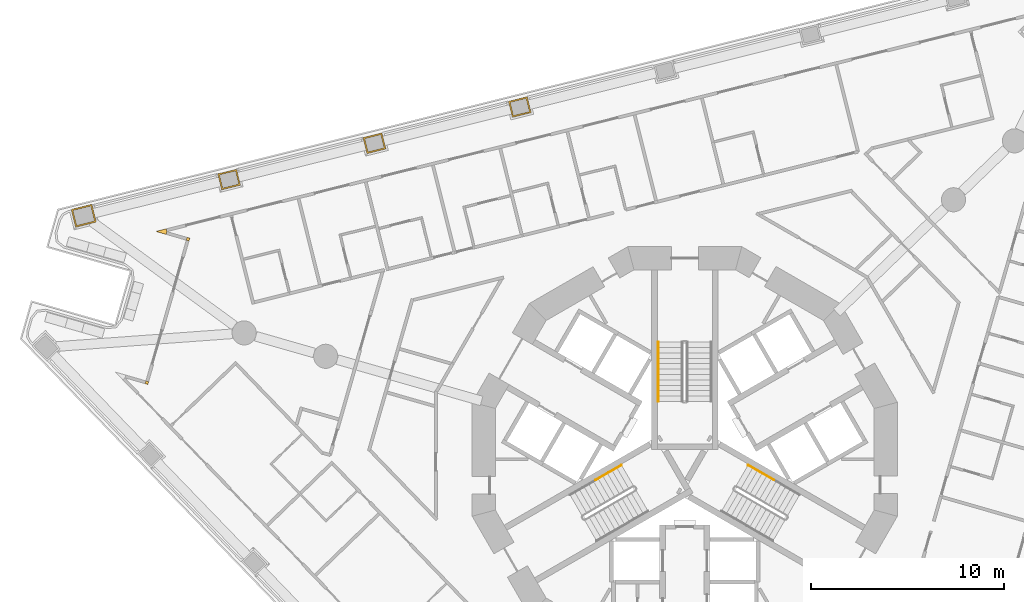
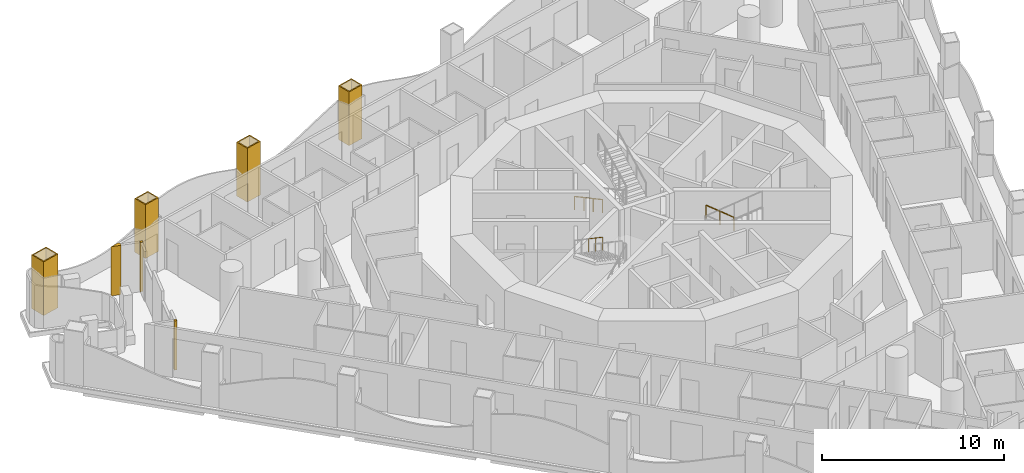
# One storey, part 17 of 20: 7 coverings, 3 railings.
"""IFC4 building model written with IfcOpenShell, lengths in metres."""

from ifc_helpers import new_model, si_unit, direction, frame, origin, origin_2d, place, context, subcontext, project, spatial, polyline, circle, outline, extrude, material, layer, layer_set, type_object, element, save


model = new_model("IFC4")

# Units and contexts
model_context = context("Model", 3, precision=1e-05, world=origin(), true_north=direction((0.0, 1.0)))
body_context = subcontext(model_context, "Body", "Model", "MODEL_VIEW")
ifc_project = project(units=[si_unit("LENGTHUNIT", "METRE"), si_unit("AREAUNIT", "SQUARE_METRE"), si_unit("VOLUMEUNIT", "CUBIC_METRE"), si_unit("PLANEANGLEUNIT", "RADIAN"), si_unit("MASSUNIT", "GRAM", prefix="KILO")], contexts=[model_context])

# Site, building, storey
site_placement = place(None, origin())
site = spatial("IfcSite", under=ifc_project, at=site_placement, CompositionType="ELEMENT")
building_placement = place(site_placement, origin())
building = spatial("IfcBuilding", under=site, at=building_placement, Name="Trine Commons Tower", CompositionType="ELEMENT")
storey_placement = place(building_placement, frame((0.0, 0.0, 108.89990234375)))
storey = spatial("IfcBuildingStorey", under=building, at=storey_placement, Name="L27", CompositionType="ELEMENT", Elevation=108.89990234375)

# Coverings
ifc_material_1 = material(Name="Aluminium-framed insulated wall panel", Category="aluminium")
ifc_layer_1 = layer(ifc_material_1, 0.14990234375)
ifc_layer_set_1 = layer_set([ifc_layer_1], Name="Aluminium-framed insulated wall panel")
covering_type_1 = type_object("IfcCoveringType", Name="Glazing corner post, aluminium", PredefinedType="CLADDING", material=ifc_layer_set_1)
covering_1_placement = place(storey_placement, origin())
element("IfcCovering", 1, at=covering_1_placement, inside=storey, type_object=covering_type_1, Name="Glazing corner post 3-02", PredefinedType="CLADDING", context=body_context, shape_type="SweptSolid", body=[
    extrude(outline(polyline([(52.048828125, 66.416015625), (52.193115234375, 66.374755859375), (52.234375, 66.518798828125), (52.090087890625, 66.560302734375), (52.048828125, 66.416015625)])), origin(), (0.0, 0.0, 1.0), 3.300048828125),
])
covering_2_placement = place(storey_placement, origin())
element("IfcCovering", 2, at=covering_2_placement, inside=storey, type_object=covering_type_1, Name="Glazing corner post 3-03", PredefinedType="CLADDING", context=body_context, shape_type="SweptSolid", body=[
    extrude(outline(polyline([(54.32373046875, 73.805419921875), (54.364990234375, 73.949462890625), (54.220703125, 73.99072265625), (54.179443359375, 73.8466796875), (54.32373046875, 73.805419921875)])), origin(), (0.0, 0.0, 1.0), 3.300048828125),
])
covering_3_placement = place(storey_placement, origin())
element("IfcCovering", 3, at=covering_3_placement, inside=storey, type_object=covering_type_1, Name="Glazing corner post 3-04", PredefinedType="CLADDING", context=body_context, shape_type="SweptSolid", body=[
    extrude(outline(polyline([(53.1357421875, 74.14599609375), (53.17724609375, 74.2900390625), (53.140869140625, 74.435546875), (52.59765625, 74.30029296875), (53.1357421875, 74.14599609375)])), origin(), (0.0, 0.0, 1.0), 3.300048828125),
])
ifc_material_2 = material(Name="Limestone, honed", Category="masonry")
ifc_layer_2 = layer(ifc_material_2, 0.074951171875)
ifc_layer_set_2 = layer_set([ifc_layer_2], Name="Limestone, honed")
covering_type_2 = type_object("IfcCoveringType", Name="Limestone column cladding 75", PredefinedType="CLADDING", material=ifc_layer_set_2)
covering_4_placement = place(storey_placement, origin())
element("IfcCovering", 4, at=covering_4_placement, inside=storey, type_object=covering_type_2, Name="Limestone pier cladding 3-09", PredefinedType="CLADDING", context=body_context, shape_type="SweptSolid", body=[
    extrude(outline(polyline([(49.520751953125, 74.785400390625), (49.291015625, 75.70703125), (48.2236328125, 75.44091796875), (48.45361328125, 74.519287109375), (49.520751953125, 74.785400390625)]), holes=[polyline([(49.429931640625, 74.83984375), (49.236328125, 75.6162109375), (48.314453125, 75.38623046875), (48.508056640625, 74.610107421875), (49.429931640625, 74.83984375)])]), origin(), (0.0, 0.0, 1.0), 3.60009765625),
])
covering_5_placement = place(storey_placement, origin())
element("IfcCovering", 5, at=covering_5_placement, inside=storey, type_object=covering_type_2, Name="Limestone pier cladding 3-10", PredefinedType="CLADDING", context=body_context, shape_type="SweptSolid", body=[
    extrude(outline(polyline([(56.9873046875, 76.698486328125), (56.78173828125, 77.523193359375), (55.811279296875, 77.28125), (56.01708984375, 76.45654296875), (56.9873046875, 76.698486328125)]), holes=[polyline([(56.896484375, 76.7529296875), (56.72705078125, 77.43212890625), (55.90234375, 77.2265625), (56.07177734375, 76.54736328125), (56.896484375, 76.7529296875)])]), origin(), (0.0, 0.0, 1.0), 3.60009765625),
])
covering_6_placement = place(storey_placement, origin())
element("IfcCovering", 6, at=covering_6_placement, inside=storey, type_object=covering_type_2, Name="Limestone pier cladding 3-11", PredefinedType="CLADDING", context=body_context, shape_type="SweptSolid", body=[
    extrude(outline(polyline([(64.5146484375, 78.5751953125), (64.308837890625, 79.39990234375), (63.338623046875, 79.157958984375), (63.544189453125, 78.333251953125), (64.5146484375, 78.5751953125)]), holes=[polyline([(64.423583984375, 78.6298828125), (64.25439453125, 79.30908203125), (63.4296875, 79.103515625), (63.598876953125, 78.42431640625), (64.423583984375, 78.6298828125)])]), origin(), (0.0, 0.0, 1.0), 3.60009765625),
])
covering_7_placement = place(storey_placement, origin())
element("IfcCovering", 7, at=covering_7_placement, inside=storey, type_object=covering_type_2, Name="Limestone pier cladding 3-12", PredefinedType="CLADDING", context=body_context, shape_type="SweptSolid", body=[
    extrude(outline(polyline([(72.0419921875, 80.451904296875), (71.836181640625, 81.276611328125), (70.865966796875, 81.03466796875), (71.071533203125, 80.2099609375), (72.0419921875, 80.451904296875)]), holes=[polyline([(71.950927734375, 80.506591796875), (71.781494140625, 81.185791015625), (70.956787109375, 80.97998046875), (71.126220703125, 80.30078125), (71.950927734375, 80.506591796875)])]), origin(), (0.0, 0.0, 1.0), 3.60009765625),
])

# Railings
ifc_material_3 = material(Name="Stainless steel handrail", Category="steel")
railing_type = type_object("IfcRailingType", Name="Stair handrail, steel 900", PredefinedType="HANDRAIL", material=ifc_material_3)
railing_1_placement = place(storey_placement, frame((78.625, 68.570556640625, 0.150146484375)))
element("IfcRailing", 8, at=railing_1_placement, inside=storey, type_object=railing_type, Name="L27 ST1A stair handrail 1", PredefinedType="HANDRAIL", context=body_context, shape_type="SweptSolid", body=[
    extrude(circle(Radius=0.02099609375, at=origin_2d()), frame((0.0, 0.0, 0.87890625), z_axis=(0.0, -0.881496589024, 0.472190389079), x_axis=(1.0, 0.0, 0.0)), (0.0, 0.0, 1.0), 3.494140625),
    extrude(circle(Radius=0.01513671875, at=origin_2d()), origin(), (0.0, 0.0, 1.0), 0.85791015625),
    extrude(circle(Radius=0.01513671875, at=origin_2d()), frame((0.0, -1.026611328125, 0.550048828125)), (0.0, 0.0, 1.0), 0.85791015625),
    extrude(circle(Radius=0.01513671875, at=origin_2d()), frame((0.0, -2.053466796875, 1.099853515625)), (0.0, 0.0, 1.0), 0.85791015625),
    extrude(circle(Radius=0.01513671875, at=origin_2d()), frame((0.0, -3.080078125, 1.64990234375)), (0.0, 0.0, 1.0), 0.85791015625),
])
railing_2_placement = place(storey_placement, frame((76.72265625, 62.195556640625, 1.9501953125)))
element("IfcRailing", 9, at=railing_2_placement, inside=storey, type_object=railing_type, Name="L27 ST2A stair handrail 3", PredefinedType="HANDRAIL", context=body_context, shape_type="SweptSolid", body=[
    extrude(circle(Radius=0.02099609375, at=origin_2d()), frame((0.0, 0.0, 0.87890625), z_axis=(-0.76340495495, -0.440743040072, 0.472184759798), x_axis=(0.499992328818, -0.866029832698, 0.0)), (0.0, 0.0, 1.0), 1.7470703125),
    extrude(circle(Radius=0.01513671875, at=origin_2d()), origin(), (0.0, 0.0, 1.0), 0.85791015625),
    extrude(circle(Radius=0.01513671875, at=origin_2d()), frame((-0.6669921875, -0.385009765625, 0.41259765625)), (0.0, 0.0, 1.0), 0.85791015625),
    extrude(circle(Radius=0.01513671875, at=origin_2d()), frame((-1.333740234375, -0.77001953125, 0.824951171875)), (0.0, 0.0, 1.0), 0.85791015625),
])
railing_3_placement = place(storey_placement, frame((84.611083984375, 61.425537109375, 0.97509765625)))
element("IfcRailing", 10, at=railing_3_placement, inside=storey, type_object=railing_type, Name="L27 ST3A stair handrail 2", PredefinedType="HANDRAIL", context=body_context, shape_type="SweptSolid", body=[
    extrude(circle(Radius=0.02099609375, at=origin_2d()), frame((0.0, 0.0, 0.87890625), z_axis=(-0.76340495495, 0.440743040072, 0.472184759798), x_axis=(-0.499992328818, -0.866029832698, 0.0)), (0.0, 0.0, 1.0), 1.7470703125),
    extrude(circle(Radius=0.01513671875, at=origin_2d()), origin(), (0.0, 0.0, 1.0), 0.85791015625),
    extrude(circle(Radius=0.01513671875, at=origin_2d()), frame((-0.6669921875, 0.385009765625, 0.41259765625)), (0.0, 0.0, 1.0), 0.85791015625),
    extrude(circle(Radius=0.01513671875, at=origin_2d()), frame((-1.333740234375, 0.77001953125, 0.824951171875)), (0.0, 0.0, 1.0), 0.85791015625),
])

save(model, "model.ifc")
